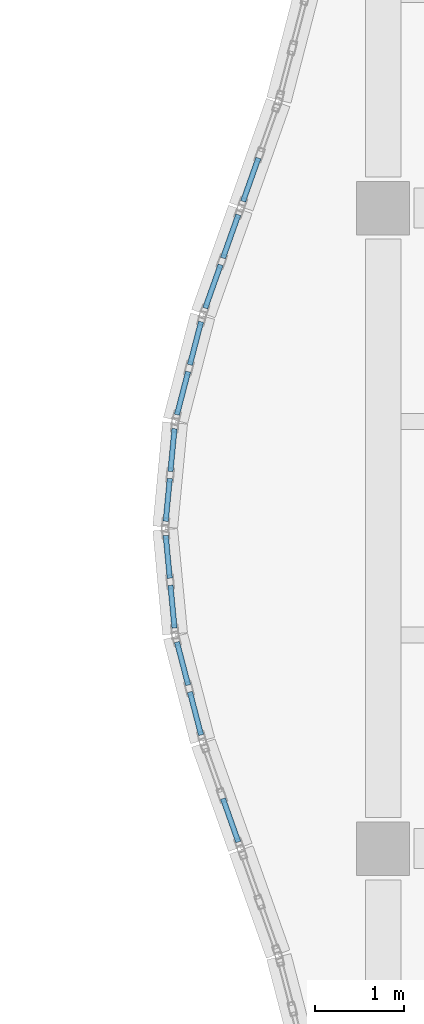
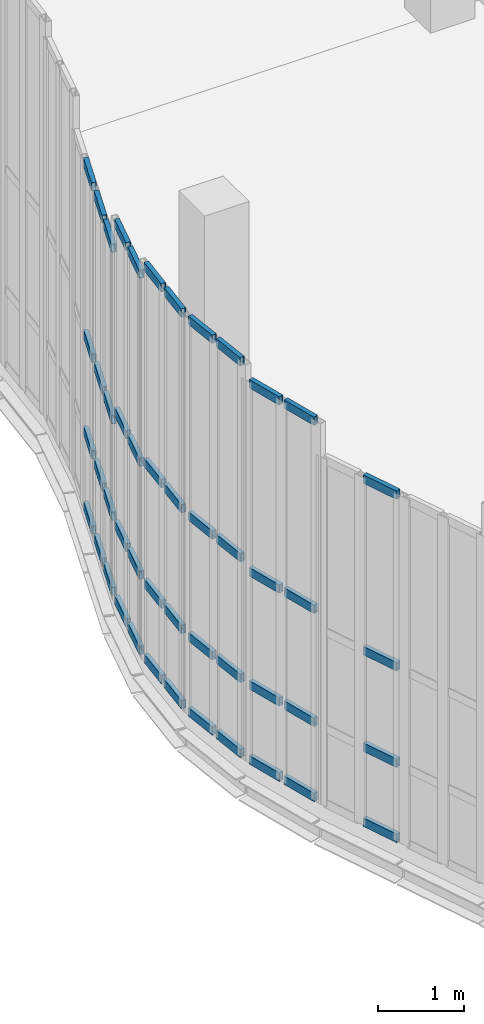
# One storey, part 54 of 105: 48 members, 7 elements without a shape of their own.
"""IFC4 building model written with IfcOpenShell, lengths in metres."""

from ifc_helpers import new_model, si_unit, direction, frame, origin, origin_2d, place, context, subcontext, project, spatial, hollow_rectangle, extrude, material, layer, layer_set, material_profile, profile_set, type_object, element, aggregate, save


model = new_model("IFC4")

# Units and contexts
model_context = context("Model", 3, precision=1e-05, world=origin(), true_north=direction((0.0, 1.0)))
body_context = subcontext(model_context, "Body", "Model", "MODEL_VIEW")
ifc_project = project(units=[si_unit("LENGTHUNIT", "METRE"), si_unit("AREAUNIT", "SQUARE_METRE"), si_unit("VOLUMEUNIT", "CUBIC_METRE"), si_unit("PLANEANGLEUNIT", "RADIAN"), si_unit("MASSUNIT", "GRAM", prefix="KILO"), si_unit("THERMODYNAMICTEMPERATUREUNIT", "KELVIN"), si_unit("POWERUNIT", "WATT")], contexts=[model_context])

# Site, building, storey
site_placement = place(None, origin())
site = spatial("IfcSite", under=ifc_project, at=site_placement, CompositionType="ELEMENT")
building_placement = place(site_placement, origin())
building = spatial("IfcBuilding", under=site, at=building_placement, Name="Kaldorven Railside Theatre", CompositionType="ELEMENT")
storey_placement = place(building_placement, frame((0.0, 0.0, 9.89990234375)))
storey = spatial("IfcBuildingStorey", under=building, at=storey_placement, Name="L02", CompositionType="ELEMENT", Elevation=9.89990234375)

# Curtain wall, members
ifc_material_1 = material(Name="Low-E laminated solar-control glass", Category="glass")
ifc_layer_1 = layer(ifc_material_1, 0.159912109375, Name="Low-E laminated solar-control glass")
ifc_layer_set_1 = layer_set([ifc_layer_1], Name="Low-E laminated solar-control glass")
curtain_wall_type_1 = type_object("IfcCurtainWallType", Name="CWT-22", PredefinedType="USERDEFINED", material=ifc_layer_set_1)
curtain_wall_1_placement = place(storey_placement, origin())
curtain_wall_1 = element("IfcCurtainWall", 1, at=curtain_wall_1_placement, inside=storey, type_object=curtain_wall_type_1, Name="Sinusoidal Fluted Curtain Wall CW-L02-W13", ObjectType="FLUTED GLAZING", PredefinedType="USERDEFINED")
ifc_material_2 = material(Name="Anodised bronze aluminium", Category="aluminium")
ifc_material_profile = material_profile(ifc_material_2, hollow_rectangle(XDim=0.06005859375, YDim=0.1201171875, WallThickness=0.0048828125, at=origin_2d()), Name="RHS 120x60x5")
ifc_profile_set = profile_set([ifc_material_profile], Name="Anodised bronze aluminium")
member_type = type_object("IfcMemberType", Name="CWT-120", PredefinedType="USERDEFINED", material=ifc_profile_set)
member_1_placement = place(storey_placement, frame((71.17333984375, 55.275390625, 0.030029296875), z_axis=(-0.334179614745, 0.942509408488, 0.0), x_axis=(-0.942509408488, -0.334179614745, 0.0)))
member_1 = element("IfcMember", 2, at=member_1_placement, type_object=member_type, Name="CW-L02-W13 transom 1.1", ObjectType="TRANSOM", PredefinedType="USERDEFINED", context=body_context, shape_type="SweptSolid", body=[
    extrude(hollow_rectangle(XDim=0.06005859375, YDim=0.1201171875, WallThickness=0.0048828125, at=origin_2d()), origin(), (0.0, 0.0, 1.0), 0.5166015625),
])
member_2_placement = place(storey_placement, frame((71.17333984375, 55.275390625, 1.10009765625), z_axis=(-0.334179614745, 0.942509408488, 0.0), x_axis=(-0.942509408488, -0.334179614745, 0.0)))
member_2 = element("IfcMember", 3, at=member_2_placement, type_object=member_type, Name="CW-L02-W13 transom 1.2", ObjectType="TRANSOM", PredefinedType="USERDEFINED", context=body_context, shape_type="SweptSolid", body=[
    extrude(hollow_rectangle(XDim=0.06005859375, YDim=0.1201171875, WallThickness=0.0048828125, at=origin_2d()), origin(), (0.0, 0.0, 1.0), 0.5166015625),
])
member_3_placement = place(storey_placement, frame((71.17333984375, 55.275390625, 2.47509765625), z_axis=(-0.334179614745, 0.942509408488, 0.0), x_axis=(-0.942509408488, -0.334179614745, 0.0)))
member_3 = element("IfcMember", 4, at=member_3_placement, type_object=member_type, Name="CW-L02-W13 transom 1.3", ObjectType="TRANSOM", PredefinedType="USERDEFINED", context=body_context, shape_type="SweptSolid", body=[
    extrude(hollow_rectangle(XDim=0.06005859375, YDim=0.1201171875, WallThickness=0.0048828125, at=origin_2d()), origin(), (0.0, 0.0, 1.0), 0.5166015625),
])
member_4_placement = place(storey_placement, frame((71.17333984375, 55.275390625, 4.920166015625), z_axis=(-0.334179614745, 0.942509408488, 0.0), x_axis=(-0.942509408488, -0.334179614745, 0.0)))
member_4 = element("IfcMember", 5, at=member_4_placement, type_object=member_type, Name="CW-L02-W13 transom 1.4", ObjectType="TRANSOM", PredefinedType="USERDEFINED", context=body_context, shape_type="SweptSolid", body=[
    extrude(hollow_rectangle(XDim=0.06005859375, YDim=0.1201171875, WallThickness=0.0048828125, at=origin_2d()), origin(), (0.0, 0.0, 1.0), 0.5166015625),
])
aggregate(curtain_wall_1, [member_1, member_2, member_3, member_4])

ifc_layer_2 = layer(ifc_material_1, 0.159912109375, Name="Low-E laminated solar-control glass")
ifc_layer_set_2 = layer_set([ifc_layer_2], Name="Low-E laminated solar-control glass")
curtain_wall_type_2 = type_object("IfcCurtainWallType", Name="CWT-23", PredefinedType="USERDEFINED", material=ifc_layer_set_2)
curtain_wall_2_placement = place(storey_placement, origin())
curtain_wall_2 = element("IfcCurtainWall", 6, at=curtain_wall_2_placement, inside=storey, type_object=curtain_wall_type_2, Name="Sinusoidal Fluted Curtain Wall CW-L02-W14", ObjectType="FLUTED GLAZING", PredefinedType="USERDEFINED")
member_5_placement = place(storey_placement, frame((70.7548828125, 56.4775390625, 0.030029296875), z_axis=(-0.251148682384, 0.967948521016, 0.0), x_axis=(-0.967948521016, -0.251148682384, 0.0)))
member_5 = element("IfcMember", 7, at=member_5_placement, type_object=member_type, Name="CW-L02-W14 transom 1.1", ObjectType="TRANSOM", PredefinedType="USERDEFINED", context=body_context, shape_type="SweptSolid", body=[
    extrude(hollow_rectangle(XDim=0.06005859375, YDim=0.1201171875, WallThickness=0.0048828125, at=origin_2d()), origin(), (0.0, 0.0, 1.0), 0.499755859375),
])
member_6_placement = place(storey_placement, frame((70.7548828125, 56.4775390625, 1.10009765625), z_axis=(-0.251148682384, 0.967948521016, 0.0), x_axis=(-0.967948521016, -0.251148682384, 0.0)))
member_6 = element("IfcMember", 8, at=member_6_placement, type_object=member_type, Name="CW-L02-W14 transom 1.2", ObjectType="TRANSOM", PredefinedType="USERDEFINED", context=body_context, shape_type="SweptSolid", body=[
    extrude(hollow_rectangle(XDim=0.06005859375, YDim=0.1201171875, WallThickness=0.0048828125, at=origin_2d()), origin(), (0.0, 0.0, 1.0), 0.499755859375),
])
member_7_placement = place(storey_placement, frame((70.7548828125, 56.4775390625, 2.710205078125), z_axis=(-0.251148682384, 0.967948521016, 0.0), x_axis=(-0.967948521016, -0.251148682384, 0.0)))
member_7 = element("IfcMember", 9, at=member_7_placement, type_object=member_type, Name="CW-L02-W14 transom 1.3", ObjectType="TRANSOM", PredefinedType="USERDEFINED", context=body_context, shape_type="SweptSolid", body=[
    extrude(hollow_rectangle(XDim=0.06005859375, YDim=0.1201171875, WallThickness=0.0048828125, at=origin_2d()), origin(), (0.0, 0.0, 1.0), 0.499755859375),
])
member_8_placement = place(storey_placement, frame((70.7548828125, 56.4775390625, 5.39013671875), z_axis=(-0.251148682384, 0.967948521016, 0.0), x_axis=(-0.967948521016, -0.251148682384, 0.0)))
member_8 = element("IfcMember", 10, at=member_8_placement, type_object=member_type, Name="CW-L02-W14 transom 1.4", ObjectType="TRANSOM", PredefinedType="USERDEFINED", context=body_context, shape_type="SweptSolid", body=[
    extrude(hollow_rectangle(XDim=0.06005859375, YDim=0.1201171875, WallThickness=0.0048828125, at=origin_2d()), origin(), (0.0, 0.0, 1.0), 0.499755859375),
])
member_9_placement = place(storey_placement, frame((70.609375, 57.038818359375, 0.030029296875), z_axis=(-0.251148682384, 0.967948521016, 0.0), x_axis=(-0.967948521016, -0.251148682384, 0.0)))
member_9 = element("IfcMember", 11, at=member_9_placement, type_object=member_type, Name="CW-L02-W14 transom 2.1", ObjectType="TRANSOM", PredefinedType="USERDEFINED", context=body_context, shape_type="SweptSolid", body=[
    extrude(hollow_rectangle(XDim=0.06005859375, YDim=0.1201171875, WallThickness=0.0048828125, at=origin_2d()), origin(), (0.0, 0.0, 1.0), 0.499755859375),
])
member_10_placement = place(storey_placement, frame((70.609375, 57.038818359375, 1.10009765625), z_axis=(-0.251148682384, 0.967948521016, 0.0), x_axis=(-0.967948521016, -0.251148682384, 0.0)))
member_10 = element("IfcMember", 12, at=member_10_placement, type_object=member_type, Name="CW-L02-W14 transom 2.2", ObjectType="TRANSOM", PredefinedType="USERDEFINED", context=body_context, shape_type="SweptSolid", body=[
    extrude(hollow_rectangle(XDim=0.06005859375, YDim=0.1201171875, WallThickness=0.0048828125, at=origin_2d()), origin(), (0.0, 0.0, 1.0), 0.499755859375),
])
member_11_placement = place(storey_placement, frame((70.609375, 57.038818359375, 2.710205078125), z_axis=(-0.251148682384, 0.967948521016, 0.0), x_axis=(-0.967948521016, -0.251148682384, 0.0)))
member_11 = element("IfcMember", 13, at=member_11_placement, type_object=member_type, Name="CW-L02-W14 transom 2.3", ObjectType="TRANSOM", PredefinedType="USERDEFINED", context=body_context, shape_type="SweptSolid", body=[
    extrude(hollow_rectangle(XDim=0.06005859375, YDim=0.1201171875, WallThickness=0.0048828125, at=origin_2d()), origin(), (0.0, 0.0, 1.0), 0.499755859375),
])
member_12_placement = place(storey_placement, frame((70.609375, 57.038818359375, 5.39013671875), z_axis=(-0.251148682384, 0.967948521016, 0.0), x_axis=(-0.967948521016, -0.251148682384, 0.0)))
member_12 = element("IfcMember", 14, at=member_12_placement, type_object=member_type, Name="CW-L02-W14 transom 2.4", ObjectType="TRANSOM", PredefinedType="USERDEFINED", context=body_context, shape_type="SweptSolid", body=[
    extrude(hollow_rectangle(XDim=0.06005859375, YDim=0.1201171875, WallThickness=0.0048828125, at=origin_2d()), origin(), (0.0, 0.0, 1.0), 0.499755859375),
])
aggregate(curtain_wall_2, [member_5, member_6, member_7, member_8, member_9, member_10, member_11, member_12])

ifc_layer_3 = layer(ifc_material_1, 0.159912109375, Name="Low-E laminated solar-control glass")
ifc_layer_set_3 = layer_set([ifc_layer_3], Name="Low-E laminated solar-control glass")
curtain_wall_type_3 = type_object("IfcCurtainWallType", Name="CWT-24", PredefinedType="USERDEFINED", material=ifc_layer_set_3)
curtain_wall_3_placement = place(storey_placement, origin())
curtain_wall_3 = element("IfcCurtainWall", 15, at=curtain_wall_3_placement, inside=storey, type_object=curtain_wall_type_3, Name="Sinusoidal Fluted Curtain Wall CW-L02-W15", ObjectType="FLUTED GLAZING", PredefinedType="USERDEFINED")
member_13_placement = place(storey_placement, frame((70.456298828125, 57.6796875, 0.030029296875), z_axis=(-0.094594245591, 0.995515910823, 0.0), x_axis=(-0.995515910823, -0.094594245591, 0.0)))
member_13 = element("IfcMember", 16, at=member_13_placement, type_object=member_type, Name="CW-L02-W15 transom 1.1", ObjectType="TRANSOM", PredefinedType="USERDEFINED", context=body_context, shape_type="SweptSolid", body=[
    extrude(hollow_rectangle(XDim=0.06005859375, YDim=0.1201171875, WallThickness=0.0048828125, at=origin_2d()), origin(), (0.0, 0.0, 1.0), 0.482666015625),
])
member_14_placement = place(storey_placement, frame((70.456298828125, 57.6796875, 1.10009765625), z_axis=(-0.094594245591, 0.995515910823, 0.0), x_axis=(-0.995515910823, -0.094594245591, 0.0)))
member_14 = element("IfcMember", 17, at=member_14_placement, type_object=member_type, Name="CW-L02-W15 transom 1.2", ObjectType="TRANSOM", PredefinedType="USERDEFINED", context=body_context, shape_type="SweptSolid", body=[
    extrude(hollow_rectangle(XDim=0.06005859375, YDim=0.1201171875, WallThickness=0.0048828125, at=origin_2d()), origin(), (0.0, 0.0, 1.0), 0.482666015625),
])
member_15_placement = place(storey_placement, frame((70.456298828125, 57.6796875, 2.820068359375), z_axis=(-0.094594245591, 0.995515910823, 0.0), x_axis=(-0.995515910823, -0.094594245591, 0.0)))
member_15 = element("IfcMember", 18, at=member_15_placement, type_object=member_type, Name="CW-L02-W15 transom 1.3", ObjectType="TRANSOM", PredefinedType="USERDEFINED", context=body_context, shape_type="SweptSolid", body=[
    extrude(hollow_rectangle(XDim=0.06005859375, YDim=0.1201171875, WallThickness=0.0048828125, at=origin_2d()), origin(), (0.0, 0.0, 1.0), 0.482666015625),
])
member_16_placement = place(storey_placement, frame((70.456298828125, 57.6796875, 5.610107421875), z_axis=(-0.094594245591, 0.995515910823, 0.0), x_axis=(-0.995515910823, -0.094594245591, 0.0)))
member_16 = element("IfcMember", 19, at=member_16_placement, type_object=member_type, Name="CW-L02-W15 transom 1.4", ObjectType="TRANSOM", PredefinedType="USERDEFINED", context=body_context, shape_type="SweptSolid", body=[
    extrude(hollow_rectangle(XDim=0.06005859375, YDim=0.1201171875, WallThickness=0.0048828125, at=origin_2d()), origin(), (0.0, 0.0, 1.0), 0.482666015625),
])
member_17_placement = place(storey_placement, frame((70.403076171875, 58.23974609375, 0.030029296875), z_axis=(-0.094045520105, 0.995567898311, 0.0), x_axis=(-0.995567898311, -0.094045520105, 0.0)))
member_17 = element("IfcMember", 20, at=member_17_placement, type_object=member_type, Name="CW-L02-W15 transom 2.1", ObjectType="TRANSOM", PredefinedType="USERDEFINED", context=body_context, shape_type="SweptSolid", body=[
    extrude(hollow_rectangle(XDim=0.06005859375, YDim=0.1201171875, WallThickness=0.0048828125, at=origin_2d()), origin(), (0.0, 0.0, 1.0), 0.48291015625),
])
member_18_placement = place(storey_placement, frame((70.403076171875, 58.23974609375, 1.10009765625), z_axis=(-0.094045520105, 0.995567898311, 0.0), x_axis=(-0.995567898311, -0.094045520105, 0.0)))
member_18 = element("IfcMember", 21, at=member_18_placement, type_object=member_type, Name="CW-L02-W15 transom 2.2", ObjectType="TRANSOM", PredefinedType="USERDEFINED", context=body_context, shape_type="SweptSolid", body=[
    extrude(hollow_rectangle(XDim=0.06005859375, YDim=0.1201171875, WallThickness=0.0048828125, at=origin_2d()), origin(), (0.0, 0.0, 1.0), 0.48291015625),
])
member_19_placement = place(storey_placement, frame((70.403076171875, 58.23974609375, 2.820068359375), z_axis=(-0.094045520105, 0.995567898311, 0.0), x_axis=(-0.995567898311, -0.094045520105, 0.0)))
member_19 = element("IfcMember", 22, at=member_19_placement, type_object=member_type, Name="CW-L02-W15 transom 2.3", ObjectType="TRANSOM", PredefinedType="USERDEFINED", context=body_context, shape_type="SweptSolid", body=[
    extrude(hollow_rectangle(XDim=0.06005859375, YDim=0.1201171875, WallThickness=0.0048828125, at=origin_2d()), origin(), (0.0, 0.0, 1.0), 0.48291015625),
])
member_20_placement = place(storey_placement, frame((70.403076171875, 58.23974609375, 5.610107421875), z_axis=(-0.094045520105, 0.995567898311, 0.0), x_axis=(-0.995567898311, -0.094045520105, 0.0)))
member_20 = element("IfcMember", 23, at=member_20_placement, type_object=member_type, Name="CW-L02-W15 transom 2.4", ObjectType="TRANSOM", PredefinedType="USERDEFINED", context=body_context, shape_type="SweptSolid", body=[
    extrude(hollow_rectangle(XDim=0.06005859375, YDim=0.1201171875, WallThickness=0.0048828125, at=origin_2d()), origin(), (0.0, 0.0, 1.0), 0.48291015625),
])
aggregate(curtain_wall_3, [member_13, member_14, member_15, member_16, member_17, member_18, member_19, member_20])

curtain_wall_4_placement = place(storey_placement, origin())
curtain_wall_4 = element("IfcCurtainWall", 24, at=curtain_wall_4_placement, inside=storey, type_object=curtain_wall_type_3, Name="Sinusoidal Fluted Curtain Wall CW-L02-W16", ObjectType="FLUTED GLAZING", PredefinedType="USERDEFINED")
member_21_placement = place(storey_placement, frame((70.357666015625, 58.879638671875, 0.030029296875), z_axis=(0.094092884485, 0.995563422937, 0.0), x_axis=(-0.995563422937, 0.094092884485, 0.0)))
member_21 = element("IfcMember", 25, at=member_21_placement, type_object=member_type, Name="CW-L02-W16 transom 1.1", ObjectType="TRANSOM", PredefinedType="USERDEFINED", context=body_context, shape_type="SweptSolid", body=[
    extrude(hollow_rectangle(XDim=0.06005859375, YDim=0.1201171875, WallThickness=0.0048828125, at=origin_2d()), origin(), (0.0, 0.0, 1.0), 0.482666015625),
])
member_22_placement = place(storey_placement, frame((70.357666015625, 58.879638671875, 1.10009765625), z_axis=(0.094092884485, 0.995563422937, 0.0), x_axis=(-0.995563422937, 0.094092884485, 0.0)))
member_22 = element("IfcMember", 26, at=member_22_placement, type_object=member_type, Name="CW-L02-W16 transom 1.2", ObjectType="TRANSOM", PredefinedType="USERDEFINED", context=body_context, shape_type="SweptSolid", body=[
    extrude(hollow_rectangle(XDim=0.06005859375, YDim=0.1201171875, WallThickness=0.0048828125, at=origin_2d()), origin(), (0.0, 0.0, 1.0), 0.482666015625),
])
member_23_placement = place(storey_placement, frame((70.357666015625, 58.879638671875, 2.820068359375), z_axis=(0.094092884485, 0.995563422937, 0.0), x_axis=(-0.995563422937, 0.094092884485, 0.0)))
member_23 = element("IfcMember", 27, at=member_23_placement, type_object=member_type, Name="CW-L02-W16 transom 1.3", ObjectType="TRANSOM", PredefinedType="USERDEFINED", context=body_context, shape_type="SweptSolid", body=[
    extrude(hollow_rectangle(XDim=0.06005859375, YDim=0.1201171875, WallThickness=0.0048828125, at=origin_2d()), origin(), (0.0, 0.0, 1.0), 0.482666015625),
])
member_24_placement = place(storey_placement, frame((70.357666015625, 58.879638671875, 5.610107421875), z_axis=(0.094092884485, 0.995563422937, 0.0), x_axis=(-0.995563422937, 0.094092884485, 0.0)))
member_24 = element("IfcMember", 28, at=member_24_placement, type_object=member_type, Name="CW-L02-W16 transom 1.4", ObjectType="TRANSOM", PredefinedType="USERDEFINED", context=body_context, shape_type="SweptSolid", body=[
    extrude(hollow_rectangle(XDim=0.06005859375, YDim=0.1201171875, WallThickness=0.0048828125, at=origin_2d()), origin(), (0.0, 0.0, 1.0), 0.482666015625),
])
member_25_placement = place(storey_placement, frame((70.41064453125, 59.43994140625, 0.030029296875), z_axis=(0.094594245591, 0.995515910823, 0.0), x_axis=(-0.995515910823, 0.094594245591, 0.0)))
member_25 = element("IfcMember", 29, at=member_25_placement, type_object=member_type, Name="CW-L02-W16 transom 2.1", ObjectType="TRANSOM", PredefinedType="USERDEFINED", context=body_context, shape_type="SweptSolid", body=[
    extrude(hollow_rectangle(XDim=0.06005859375, YDim=0.1201171875, WallThickness=0.0048828125, at=origin_2d()), origin(), (0.0, 0.0, 1.0), 0.482666015625),
])
member_26_placement = place(storey_placement, frame((70.41064453125, 59.43994140625, 1.10009765625), z_axis=(0.094594245591, 0.995515910823, 0.0), x_axis=(-0.995515910823, 0.094594245591, 0.0)))
member_26 = element("IfcMember", 30, at=member_26_placement, type_object=member_type, Name="CW-L02-W16 transom 2.2", ObjectType="TRANSOM", PredefinedType="USERDEFINED", context=body_context, shape_type="SweptSolid", body=[
    extrude(hollow_rectangle(XDim=0.06005859375, YDim=0.1201171875, WallThickness=0.0048828125, at=origin_2d()), origin(), (0.0, 0.0, 1.0), 0.482666015625),
])
member_27_placement = place(storey_placement, frame((70.41064453125, 59.43994140625, 2.820068359375), z_axis=(0.094594245591, 0.995515910823, 0.0), x_axis=(-0.995515910823, 0.094594245591, 0.0)))
member_27 = element("IfcMember", 31, at=member_27_placement, type_object=member_type, Name="CW-L02-W16 transom 2.3", ObjectType="TRANSOM", PredefinedType="USERDEFINED", context=body_context, shape_type="SweptSolid", body=[
    extrude(hollow_rectangle(XDim=0.06005859375, YDim=0.1201171875, WallThickness=0.0048828125, at=origin_2d()), origin(), (0.0, 0.0, 1.0), 0.482666015625),
])
member_28_placement = place(storey_placement, frame((70.41064453125, 59.43994140625, 5.610107421875), z_axis=(0.094594245591, 0.995515910823, 0.0), x_axis=(-0.995515910823, 0.094594245591, 0.0)))
member_28 = element("IfcMember", 32, at=member_28_placement, type_object=member_type, Name="CW-L02-W16 transom 2.4", ObjectType="TRANSOM", PredefinedType="USERDEFINED", context=body_context, shape_type="SweptSolid", body=[
    extrude(hollow_rectangle(XDim=0.06005859375, YDim=0.1201171875, WallThickness=0.0048828125, at=origin_2d()), origin(), (0.0, 0.0, 1.0), 0.482666015625),
])
aggregate(curtain_wall_4, [member_21, member_22, member_23, member_24, member_25, member_26, member_27, member_28])

curtain_wall_5_placement = place(storey_placement, origin())
curtain_wall_5 = element("IfcCurtainWall", 33, at=curtain_wall_5_placement, inside=storey, type_object=curtain_wall_type_2, Name="Sinusoidal Fluted Curtain Wall CW-L02-W17", ObjectType="FLUTED GLAZING", PredefinedType="USERDEFINED")
member_29_placement = place(storey_placement, frame((70.48388671875, 60.077392578125, 0.030029296875), z_axis=(0.251029954561, 0.967979318949, 0.0), x_axis=(-0.967979318949, 0.251029954561, 0.0)))
member_29 = element("IfcMember", 34, at=member_29_placement, type_object=member_type, Name="CW-L02-W17 transom 1.1", ObjectType="TRANSOM", PredefinedType="USERDEFINED", context=body_context, shape_type="SweptSolid", body=[
    extrude(hollow_rectangle(XDim=0.06005859375, YDim=0.1201171875, WallThickness=0.0048828125, at=origin_2d()), origin(), (0.0, 0.0, 1.0), 0.5),
])
member_30_placement = place(storey_placement, frame((70.48388671875, 60.077392578125, 1.10009765625), z_axis=(0.251029954561, 0.967979318949, 0.0), x_axis=(-0.967979318949, 0.251029954561, 0.0)))
member_30 = element("IfcMember", 35, at=member_30_placement, type_object=member_type, Name="CW-L02-W17 transom 1.2", ObjectType="TRANSOM", PredefinedType="USERDEFINED", context=body_context, shape_type="SweptSolid", body=[
    extrude(hollow_rectangle(XDim=0.06005859375, YDim=0.1201171875, WallThickness=0.0048828125, at=origin_2d()), origin(), (0.0, 0.0, 1.0), 0.5),
])
member_31_placement = place(storey_placement, frame((70.48388671875, 60.077392578125, 2.710205078125), z_axis=(0.251029954561, 0.967979318949, 0.0), x_axis=(-0.967979318949, 0.251029954561, 0.0)))
member_31 = element("IfcMember", 36, at=member_31_placement, type_object=member_type, Name="CW-L02-W17 transom 1.3", ObjectType="TRANSOM", PredefinedType="USERDEFINED", context=body_context, shape_type="SweptSolid", body=[
    extrude(hollow_rectangle(XDim=0.06005859375, YDim=0.1201171875, WallThickness=0.0048828125, at=origin_2d()), origin(), (0.0, 0.0, 1.0), 0.5),
])
member_32_placement = place(storey_placement, frame((70.48388671875, 60.077392578125, 5.39013671875), z_axis=(0.251029954561, 0.967979318949, 0.0), x_axis=(-0.967979318949, 0.251029954561, 0.0)))
member_32 = element("IfcMember", 37, at=member_32_placement, type_object=member_type, Name="CW-L02-W17 transom 1.4", ObjectType="TRANSOM", PredefinedType="USERDEFINED", context=body_context, shape_type="SweptSolid", body=[
    extrude(hollow_rectangle(XDim=0.06005859375, YDim=0.1201171875, WallThickness=0.0048828125, at=origin_2d()), origin(), (0.0, 0.0, 1.0), 0.5),
])
member_33_placement = place(storey_placement, frame((70.62939453125, 60.638671875, 0.030029296875), z_axis=(0.251029954561, 0.967979318949, 0.0), x_axis=(-0.967979318949, 0.251029954561, 0.0)))
member_33 = element("IfcMember", 38, at=member_33_placement, type_object=member_type, Name="CW-L02-W17 transom 2.1", ObjectType="TRANSOM", PredefinedType="USERDEFINED", context=body_context, shape_type="SweptSolid", body=[
    extrude(hollow_rectangle(XDim=0.06005859375, YDim=0.1201171875, WallThickness=0.0048828125, at=origin_2d()), origin(), (0.0, 0.0, 1.0), 0.5),
])
member_34_placement = place(storey_placement, frame((70.62939453125, 60.638671875, 1.10009765625), z_axis=(0.251029954561, 0.967979318949, 0.0), x_axis=(-0.967979318949, 0.251029954561, 0.0)))
member_34 = element("IfcMember", 39, at=member_34_placement, type_object=member_type, Name="CW-L02-W17 transom 2.2", ObjectType="TRANSOM", PredefinedType="USERDEFINED", context=body_context, shape_type="SweptSolid", body=[
    extrude(hollow_rectangle(XDim=0.06005859375, YDim=0.1201171875, WallThickness=0.0048828125, at=origin_2d()), origin(), (0.0, 0.0, 1.0), 0.5),
])
member_35_placement = place(storey_placement, frame((70.62939453125, 60.638671875, 2.710205078125), z_axis=(0.251029954561, 0.967979318949, 0.0), x_axis=(-0.967979318949, 0.251029954561, 0.0)))
member_35 = element("IfcMember", 40, at=member_35_placement, type_object=member_type, Name="CW-L02-W17 transom 2.3", ObjectType="TRANSOM", PredefinedType="USERDEFINED", context=body_context, shape_type="SweptSolid", body=[
    extrude(hollow_rectangle(XDim=0.06005859375, YDim=0.1201171875, WallThickness=0.0048828125, at=origin_2d()), origin(), (0.0, 0.0, 1.0), 0.5),
])
member_36_placement = place(storey_placement, frame((70.62939453125, 60.638671875, 5.39013671875), z_axis=(0.251029954561, 0.967979318949, 0.0), x_axis=(-0.967979318949, 0.251029954561, 0.0)))
member_36 = element("IfcMember", 41, at=member_36_placement, type_object=member_type, Name="CW-L02-W17 transom 2.4", ObjectType="TRANSOM", PredefinedType="USERDEFINED", context=body_context, shape_type="SweptSolid", body=[
    extrude(hollow_rectangle(XDim=0.06005859375, YDim=0.1201171875, WallThickness=0.0048828125, at=origin_2d()), origin(), (0.0, 0.0, 1.0), 0.5),
])
aggregate(curtain_wall_5, [member_29, member_30, member_31, member_32, member_33, member_34, member_35, member_36])

curtain_wall_6_placement = place(storey_placement, origin())
curtain_wall_6 = element("IfcCurtainWall", 42, at=curtain_wall_6_placement, inside=storey, type_object=curtain_wall_type_1, Name="Sinusoidal Fluted Curtain Wall CW-L02-W18", ObjectType="FLUTED GLAZING", PredefinedType="USERDEFINED")
member_37_placement = place(storey_placement, frame((70.8017578125, 61.275390625, 0.030029296875), z_axis=(0.333759628763, 0.942658214948, 0.0), x_axis=(-0.942658214948, 0.333759628763, 0.0)))
member_37 = element("IfcMember", 43, at=member_37_placement, type_object=member_type, Name="CW-L02-W18 transom 1.1", ObjectType="TRANSOM", PredefinedType="USERDEFINED", context=body_context, shape_type="SweptSolid", body=[
    extrude(hollow_rectangle(XDim=0.06005859375, YDim=0.1201171875, WallThickness=0.0048828125, at=origin_2d()), origin(), (0.0, 0.0, 1.0), 0.516357421875),
])
member_38_placement = place(storey_placement, frame((70.8017578125, 61.275390625, 1.10009765625), z_axis=(0.333759628763, 0.942658214948, 0.0), x_axis=(-0.942658214948, 0.333759628763, 0.0)))
member_38 = element("IfcMember", 44, at=member_38_placement, type_object=member_type, Name="CW-L02-W18 transom 1.2", ObjectType="TRANSOM", PredefinedType="USERDEFINED", context=body_context, shape_type="SweptSolid", body=[
    extrude(hollow_rectangle(XDim=0.06005859375, YDim=0.1201171875, WallThickness=0.0048828125, at=origin_2d()), origin(), (0.0, 0.0, 1.0), 0.516357421875),
])
member_39_placement = place(storey_placement, frame((70.8017578125, 61.275390625, 2.47509765625), z_axis=(0.333759628763, 0.942658214948, 0.0), x_axis=(-0.942658214948, 0.333759628763, 0.0)))
member_39 = element("IfcMember", 45, at=member_39_placement, type_object=member_type, Name="CW-L02-W18 transom 1.3", ObjectType="TRANSOM", PredefinedType="USERDEFINED", context=body_context, shape_type="SweptSolid", body=[
    extrude(hollow_rectangle(XDim=0.06005859375, YDim=0.1201171875, WallThickness=0.0048828125, at=origin_2d()), origin(), (0.0, 0.0, 1.0), 0.516357421875),
])
member_40_placement = place(storey_placement, frame((70.8017578125, 61.275390625, 4.920166015625), z_axis=(0.333759628763, 0.942658214948, 0.0), x_axis=(-0.942658214948, 0.333759628763, 0.0)))
member_40 = element("IfcMember", 46, at=member_40_placement, type_object=member_type, Name="CW-L02-W18 transom 1.4", ObjectType="TRANSOM", PredefinedType="USERDEFINED", context=body_context, shape_type="SweptSolid", body=[
    extrude(hollow_rectangle(XDim=0.06005859375, YDim=0.1201171875, WallThickness=0.0048828125, at=origin_2d()), origin(), (0.0, 0.0, 1.0), 0.516357421875),
])
member_41_placement = place(storey_placement, frame((71.000732421875, 61.837646484375, 0.030029296875), z_axis=(0.334030800363, 0.94256215944, 0.0), x_axis=(-0.94256215944, 0.334030800363, 0.0)))
member_41 = element("IfcMember", 47, at=member_41_placement, type_object=member_type, Name="CW-L02-W18 transom 2.1", ObjectType="TRANSOM", PredefinedType="USERDEFINED", context=body_context, shape_type="SweptSolid", body=[
    extrude(hollow_rectangle(XDim=0.06005859375, YDim=0.1201171875, WallThickness=0.0048828125, at=origin_2d()), origin(), (0.0, 0.0, 1.0), 0.516845703125),
])
member_42_placement = place(storey_placement, frame((71.000732421875, 61.837646484375, 1.10009765625), z_axis=(0.334030800363, 0.94256215944, 0.0), x_axis=(-0.94256215944, 0.334030800363, 0.0)))
member_42 = element("IfcMember", 48, at=member_42_placement, type_object=member_type, Name="CW-L02-W18 transom 2.2", ObjectType="TRANSOM", PredefinedType="USERDEFINED", context=body_context, shape_type="SweptSolid", body=[
    extrude(hollow_rectangle(XDim=0.06005859375, YDim=0.1201171875, WallThickness=0.0048828125, at=origin_2d()), origin(), (0.0, 0.0, 1.0), 0.516845703125),
])
member_43_placement = place(storey_placement, frame((71.000732421875, 61.837646484375, 2.47509765625), z_axis=(0.334030800363, 0.94256215944, 0.0), x_axis=(-0.94256215944, 0.334030800363, 0.0)))
member_43 = element("IfcMember", 49, at=member_43_placement, type_object=member_type, Name="CW-L02-W18 transom 2.3", ObjectType="TRANSOM", PredefinedType="USERDEFINED", context=body_context, shape_type="SweptSolid", body=[
    extrude(hollow_rectangle(XDim=0.06005859375, YDim=0.1201171875, WallThickness=0.0048828125, at=origin_2d()), origin(), (0.0, 0.0, 1.0), 0.516845703125),
])
member_44_placement = place(storey_placement, frame((71.000732421875, 61.837646484375, 4.920166015625), z_axis=(0.334030800363, 0.94256215944, 0.0), x_axis=(-0.94256215944, 0.334030800363, 0.0)))
member_44 = element("IfcMember", 50, at=member_44_placement, type_object=member_type, Name="CW-L02-W18 transom 2.4", ObjectType="TRANSOM", PredefinedType="USERDEFINED", context=body_context, shape_type="SweptSolid", body=[
    extrude(hollow_rectangle(XDim=0.06005859375, YDim=0.1201171875, WallThickness=0.0048828125, at=origin_2d()), origin(), (0.0, 0.0, 1.0), 0.516845703125),
])
aggregate(curtain_wall_6, [member_37, member_38, member_39, member_40, member_41, member_42, member_43, member_44])

curtain_wall_7_placement = place(storey_placement, origin())
curtain_wall_7 = element("IfcCurtainWall", 51, at=curtain_wall_7_placement, inside=storey, type_object=curtain_wall_type_1, Name="Sinusoidal Fluted Curtain Wall CW-L02-W19", ObjectType="FLUTED GLAZING", PredefinedType="USERDEFINED")
member_45_placement = place(storey_placement, frame((71.226806640625, 62.475341796875, 0.030029296875), z_axis=(0.333610954502, 0.942710841688, 0.0), x_axis=(-0.942710841688, 0.333610954502, 0.0)))
member_45 = element("IfcMember", 52, at=member_45_placement, type_object=member_type, Name="CW-L02-W19 transom 1.1", ObjectType="TRANSOM", PredefinedType="USERDEFINED", context=body_context, shape_type="SweptSolid", body=[
    extrude(hollow_rectangle(XDim=0.06005859375, YDim=0.1201171875, WallThickness=0.0048828125, at=origin_2d()), origin(), (0.0, 0.0, 1.0), 0.5166015625),
])
member_46_placement = place(storey_placement, frame((71.226806640625, 62.475341796875, 1.10009765625), z_axis=(0.333610954502, 0.942710841688, 0.0), x_axis=(-0.942710841688, 0.333610954502, 0.0)))
member_46 = element("IfcMember", 53, at=member_46_placement, type_object=member_type, Name="CW-L02-W19 transom 1.2", ObjectType="TRANSOM", PredefinedType="USERDEFINED", context=body_context, shape_type="SweptSolid", body=[
    extrude(hollow_rectangle(XDim=0.06005859375, YDim=0.1201171875, WallThickness=0.0048828125, at=origin_2d()), origin(), (0.0, 0.0, 1.0), 0.5166015625),
])
member_47_placement = place(storey_placement, frame((71.226806640625, 62.475341796875, 2.47509765625), z_axis=(0.333610954502, 0.942710841688, 0.0), x_axis=(-0.942710841688, 0.333610954502, 0.0)))
member_47 = element("IfcMember", 54, at=member_47_placement, type_object=member_type, Name="CW-L02-W19 transom 1.3", ObjectType="TRANSOM", PredefinedType="USERDEFINED", context=body_context, shape_type="SweptSolid", body=[
    extrude(hollow_rectangle(XDim=0.06005859375, YDim=0.1201171875, WallThickness=0.0048828125, at=origin_2d()), origin(), (0.0, 0.0, 1.0), 0.5166015625),
])
member_48_placement = place(storey_placement, frame((71.226806640625, 62.475341796875, 4.920166015625), z_axis=(0.333610954502, 0.942710841688, 0.0), x_axis=(-0.942710841688, 0.333610954502, 0.0)))
member_48 = element("IfcMember", 55, at=member_48_placement, type_object=member_type, Name="CW-L02-W19 transom 1.4", ObjectType="TRANSOM", PredefinedType="USERDEFINED", context=body_context, shape_type="SweptSolid", body=[
    extrude(hollow_rectangle(XDim=0.06005859375, YDim=0.1201171875, WallThickness=0.0048828125, at=origin_2d()), origin(), (0.0, 0.0, 1.0), 0.5166015625),
])
aggregate(curtain_wall_7, [member_45, member_46, member_47, member_48])

save(model, "model.ifc")
